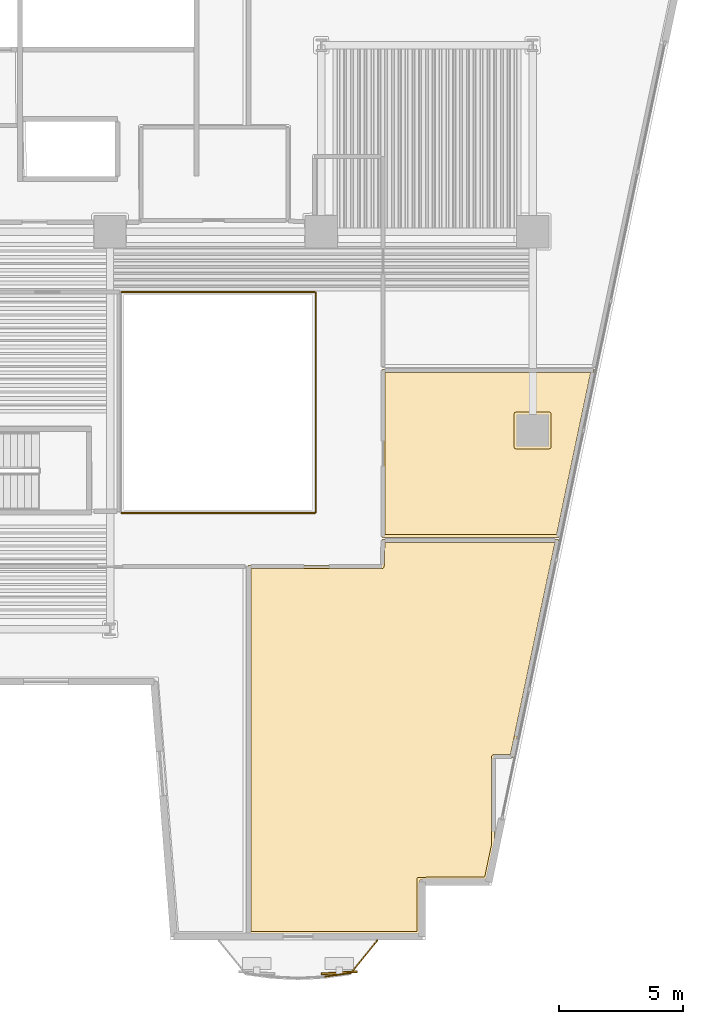
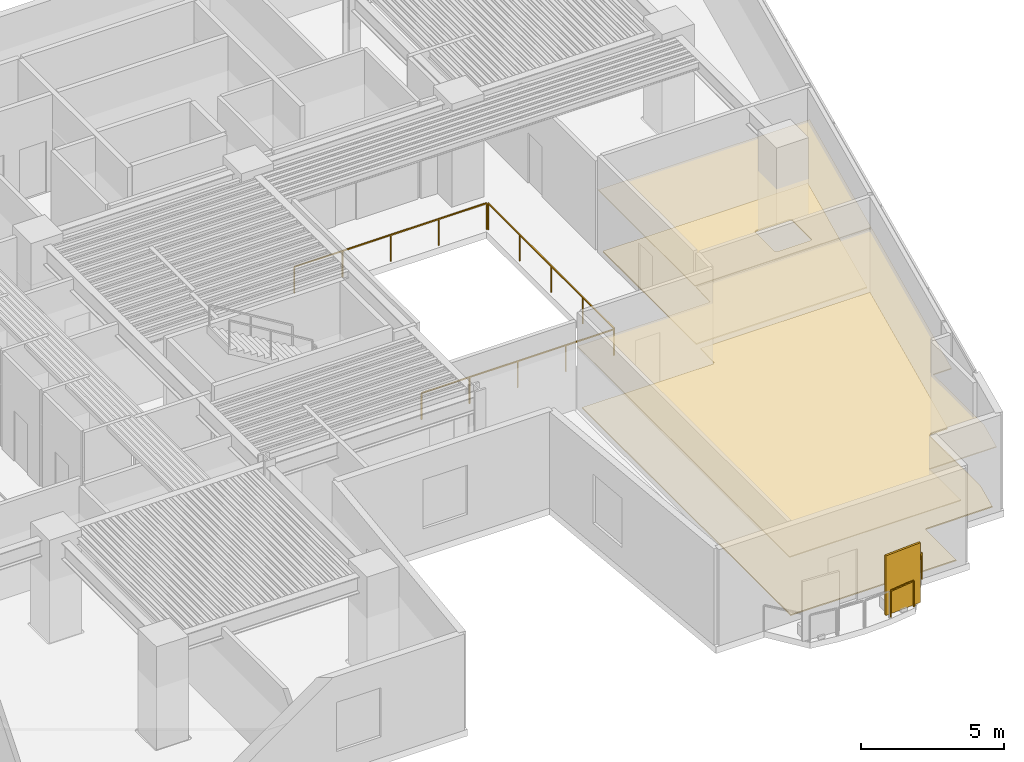
# One storey, part 10 of 12: 5 railings, 4 coverings, 1 shading device.
"""IFC4 building model written with IfcOpenShell, lengths in metres."""

from ifc_helpers import new_model, si_unit, direction, frame, origin, origin_2d, place, context, subcontext, project, spatial, polyline, rectangle, outline, extrude, material, layer, layer_set, type_object, element, save


model = new_model("IFC4")

# Units and contexts
model_context = context("Model", 3, precision=1e-05, world=origin(), true_north=direction((0.0, 1.0)))
body_context = subcontext(model_context, "Body", "Model", "MODEL_VIEW")
ifc_project = project(units=[si_unit("LENGTHUNIT", "METRE"), si_unit("AREAUNIT", "SQUARE_METRE"), si_unit("VOLUMEUNIT", "CUBIC_METRE"), si_unit("PLANEANGLEUNIT", "RADIAN"), si_unit("MASSUNIT", "GRAM", prefix="KILO")], contexts=[model_context])

# Site, building, storey
site_placement = place(None, origin())
site = spatial("IfcSite", under=ifc_project, at=site_placement, CompositionType="ELEMENT")
building_placement = place(site_placement, origin())
building = spatial("IfcBuilding", under=site, at=building_placement, Name="Caeloran Harvest Quay", CompositionType="ELEMENT")
storey_placement = place(building_placement, frame((0.0, 0.0, 79.800048828125)))
storey = spatial("IfcBuildingStorey", under=building, at=storey_placement, Name="L18", CompositionType="ELEMENT", Elevation=79.800048828125)

# Coverings
ifc_material_1 = material(Name="Perforated Mineral-Fibre Acoustic Ceiling Tile", Category="ceiling")
ifc_layer_1 = layer(ifc_material_1, 0.0400390625, Name="Perforated Mineral-Fibre Acoustic Ceiling Tile")
ifc_layer_set_1 = layer_set([ifc_layer_1], Name="Perforated Mineral-Fibre Acoustic Ceiling Tile")
covering_type_1 = type_object("IfcCoveringType", Name="COV-CEILING-ACOUSTIC", PredefinedType="CEILING", material=ifc_layer_set_1)
covering_1_placement = place(storey_placement, frame((0.0, 0.0, 2.599853515625)))
element("IfcCovering", 1, at=covering_1_placement, inside=storey, type_object=covering_type_1, Name="Sensory Fermentation Kitchen Acoustic Ceiling", PredefinedType="CEILING", context=body_context, shape_type="SweptSolid", body=[
    extrude(outline(polyline([(52.04638671875, 18.610107421875), (50.2041015625, 9.840087890625), (49.4599609375, 9.840087890625), (49.4599609375, 6.297607421875), (49.170654296875, 4.919921875), (46.467041015625, 4.919921875), (46.467041015625, 2.719970703125), (39.5400390625, 2.719970703125), (39.5400390625, 17.56005859375), (44.9111328125, 17.56005859375), (44.941162109375, 18.610107421875), (52.04638671875, 18.610107421875)])), origin(), (0.0, 0.0, 1.0), 0.0400390625),
])
covering_2_placement = place(storey_placement, frame((0.0, 0.0, 2.599853515625)))
element("IfcCovering", 2, at=covering_2_placement, inside=storey, type_object=covering_type_1, Name="Chef Development Kitchen Acoustic Ceiling", PredefinedType="CEILING", context=body_context, shape_type="SweptSolid", body=[
    extrude(outline(polyline([(44.93994140625, 18.68994140625), (44.93994140625, 25.4599609375), (53.485595703125, 25.4599609375), (52.063232421875, 18.68994140625), (44.93994140625, 18.68994140625)])), origin(), (0.0, 0.0, 1.0), 0.0400390625),
])
ifc_material_2 = material(Name="Calcium-Sulphate Raised Access Floor and Terrazzo Finish", Category="flooring")
ifc_layer_2 = layer(ifc_material_2, 0.050048828125, Name="Calcium-Sulphate Raised Access Floor and Terrazzo Finish")
ifc_layer_set_2 = layer_set([ifc_layer_2], Name="Calcium-Sulphate Raised Access Floor and Terrazzo Finish")
covering_type_2 = type_object("IfcCoveringType", Name="COV-FLOOR-RAISED", PredefinedType="FLOORING", material=ifc_layer_set_2)
covering_3_placement = place(storey_placement, origin())
element("IfcCovering", 3, at=covering_3_placement, inside=storey, type_object=covering_type_2, Name="Sensory Fermentation Kitchen Raised Finish Flooring", PredefinedType="FLOORING", context=body_context, shape_type="SweptSolid", body=[
    extrude(outline(polyline([(51.898681640625, 18.489990234375), (50.106689453125, 9.9599609375), (49.412109375, 9.959716796875), (49.341552734375, 9.8955078125), (49.340087890625, 6.31005859375), (49.0732421875, 5.0400390625), (46.376220703125, 5.021728515625), (46.346923828125, 4.9599609375), (46.346923828125, 2.840087890625), (39.659912109375, 2.840087890625), (39.659912109375, 17.43994140625), (44.96533203125, 17.44140625), (45.029296875, 17.510009765625), (45.0576171875, 18.489990234375), (51.898681640625, 18.489990234375)])), origin(), (0.0, 0.0, 1.0), 0.050048828125),
])
covering_4_placement = place(storey_placement, origin())
element("IfcCovering", 4, at=covering_4_placement, inside=storey, type_object=covering_type_2, Name="Chef Development Kitchen Raised Finish Flooring", PredefinedType="FLOORING", context=body_context, shape_type="SweptSolid", body=[
    extrude(outline(polyline([(51.9658203125, 18.81005859375), (45.06005859375, 18.81005859375), (45.06005859375, 25.340087890625), (53.337646484375, 25.340087890625), (51.9658203125, 18.81005859375)]), holes=[polyline([(51.7451171875, 23.6650390625), (51.7216796875, 23.7216796875), (51.6650390625, 23.7451171875), (50.3349609375, 23.7451171875), (50.2783203125, 23.7216796875), (50.2548828125, 23.6650390625), (50.2548828125, 22.3349609375), (50.2783203125, 22.2783203125), (50.3349609375, 22.2548828125), (51.6650390625, 22.2548828125), (51.7216796875, 22.2783203125), (51.7451171875, 22.3349609375), (51.7451171875, 23.6650390625)])]), origin(), (0.0, 0.0, 1.0), 0.050048828125),
])

# Railings
ifc_material_3 = material(Name="Powder-Coated Steel Post and Laminated Glass Guardrail", Category="steel")
ifc_layer_3 = layer(ifc_material_3, 0.06005859375, Name="Powder-Coated Steel Post and Laminated Glass Guardrail")
ifc_layer_set_3 = layer_set([ifc_layer_3], Name="Powder-Coated Steel Post and Laminated Glass Guardrail")
railing_type_1 = type_object("IfcRailingType", Name="GUARD-ATRIUM-1150", PredefinedType="GUARDRAIL", material=ifc_layer_set_3)
railing_1_placement = place(storey_placement, frame((34.4619140625, 19.679931640625, 0.0)))
element("IfcRailing", 5, at=railing_1_placement, inside=storey, type_object=railing_type_1, Name="L18 East Botanical Lightwell Guardrail Seg 1", PredefinedType="GUARDRAIL", context=body_context, shape_type="SweptSolid", body=[
    extrude(rectangle(XDim=0.048095703125, YDim=0.048095703125, at=origin_2d()), frame((0.0, 0.0, 1.1259765625), z_axis=(1.0, 0.0, 0.0), x_axis=(0.0, 1.0, 0.0)), (0.0, 0.0, 1.0), 7.776123046875),
    extrude(rectangle(XDim=0.0419921875, YDim=0.0419921875, at=origin_2d()), origin(), (0.0, 0.0, 1.0), 1.101806640625),
    extrude(rectangle(XDim=0.0419921875, YDim=0.0419921875, at=origin_2d()), frame((1.944091796875, 0.0, 0.0)), (0.0, 0.0, 1.0), 1.101806640625),
    extrude(rectangle(XDim=0.0419921875, YDim=0.0419921875, at=origin_2d()), frame((3.88818359375, 0.0, 0.0)), (0.0, 0.0, 1.0), 1.101806640625),
    extrude(rectangle(XDim=0.0419921875, YDim=0.0419921875, at=origin_2d()), frame((5.83203125, 0.0, 0.0)), (0.0, 0.0, 1.0), 1.101806640625),
    extrude(rectangle(XDim=0.0419921875, YDim=0.0419921875, at=origin_2d()), frame((7.776123046875, 0.0, 0.0)), (0.0, 0.0, 1.0), 1.101806640625),
])
railing_2_placement = place(storey_placement, frame((42.27001953125, 19.7119140625, 0.0)))
element("IfcRailing", 6, at=railing_2_placement, inside=storey, type_object=railing_type_1, Name="L18 East Botanical Lightwell Guardrail Seg 2", PredefinedType="GUARDRAIL", context=body_context, shape_type="SweptSolid", body=[
    extrude(rectangle(XDim=0.048095703125, YDim=0.048095703125, at=origin_2d()), frame((0.0, 0.0, 1.1259765625), z_axis=(0.0, 1.0, 0.0), x_axis=(-1.0, 0.0, 0.0)), (0.0, 0.0, 1.0), 8.826171875),
    extrude(rectangle(XDim=0.0419921875, YDim=0.0419921875, at=origin_2d()), origin(), (0.0, 0.0, 1.0), 1.101806640625),
    extrude(rectangle(XDim=0.0419921875, YDim=0.0419921875, at=origin_2d()), frame((0.0, 2.20654296875, 0.0)), (0.0, 0.0, 1.0), 1.101806640625),
    extrude(rectangle(XDim=0.0419921875, YDim=0.0419921875, at=origin_2d()), frame((0.0, 4.4130859375, 0.0)), (0.0, 0.0, 1.0), 1.101806640625),
    extrude(rectangle(XDim=0.0419921875, YDim=0.0419921875, at=origin_2d()), frame((0.0, 6.61962890625, 0.0)), (0.0, 0.0, 1.0), 1.101806640625),
    extrude(rectangle(XDim=0.0419921875, YDim=0.0419921875, at=origin_2d()), frame((0.0, 8.826171875, 0.0)), (0.0, 0.0, 1.0), 1.101806640625),
])
railing_3_placement = place(storey_placement, frame((42.238037109375, 28.570068359375, 0.0)))
element("IfcRailing", 7, at=railing_3_placement, inside=storey, type_object=railing_type_1, Name="L18 East Botanical Lightwell Guardrail Seg 3", PredefinedType="GUARDRAIL", context=body_context, shape_type="SweptSolid", body=[
    extrude(rectangle(XDim=0.048095703125, YDim=0.048095703125, at=origin_2d()), frame((0.0, 0.0, 1.1259765625), z_axis=(-1.0, 0.0, 0.0), x_axis=(0.0, -1.0, 0.0)), (0.0, 0.0, 1.0), 7.776123046875),
    extrude(rectangle(XDim=0.0419921875, YDim=0.0419921875, at=origin_2d()), origin(), (0.0, 0.0, 1.0), 1.101806640625),
    extrude(rectangle(XDim=0.0419921875, YDim=0.0419921875, at=origin_2d()), frame((-1.944091796875, 0.0, 0.0)), (0.0, 0.0, 1.0), 1.101806640625),
    extrude(rectangle(XDim=0.0419921875, YDim=0.0419921875, at=origin_2d()), frame((-3.88818359375, 0.0, 0.0)), (0.0, 0.0, 1.0), 1.101806640625),
    extrude(rectangle(XDim=0.0419921875, YDim=0.0419921875, at=origin_2d()), frame((-5.83203125, 0.0, 0.0)), (0.0, 0.0, 1.0), 1.101806640625),
    extrude(rectangle(XDim=0.0419921875, YDim=0.0419921875, at=origin_2d()), frame((-7.776123046875, 0.0, 0.0)), (0.0, 0.0, 1.0), 1.101806640625),
])
ifc_material_4 = material(Name="Laminated Safety Glass and Stainless Steel 316", Category="steel")
ifc_layer_4 = layer(ifc_material_4, 0.06005859375, Name="Laminated Safety Glass and Stainless Steel 316")
ifc_layer_set_4 = layer_set([ifc_layer_4], Name="Laminated Safety Glass and Stainless Steel 316")
railing_type_2 = type_object("IfcRailingType", Name="GUARD-BALUSTRADE-1150", PredefinedType="BALUSTRADE", material=ifc_layer_set_4)
railing_4_placement = place(storey_placement, frame((44.7509765625, 2.47998046875, 0.0)))
element("IfcRailing", 8, at=railing_4_placement, inside=storey, type_object=railing_type_2, Name="L18 Planted Balcony Perimeter Balustrade Guard Seg 1", PredefinedType="BALUSTRADE", context=body_context, shape_type="SweptSolid", body=[
    extrude(rectangle(XDim=0.048095703125, YDim=0.048095703125, at=origin_2d()), frame((0.0, 0.0, 1.1259765625), z_axis=(-0.630503802953, -0.776186159669, 0.0), x_axis=(0.776186159669, -0.630503802953, 0.0)), (0.0, 0.0, 1.0), 1.65576171875),
    extrude(rectangle(XDim=0.0419921875, YDim=0.0419921875, at=origin_2d()), origin(), (0.0, 0.0, 1.0), 1.101806640625),
    extrude(rectangle(XDim=0.0419921875, YDim=0.0419921875, at=origin_2d()), frame((-1.0439453125, -1.28515625, 0.0)), (0.0, 0.0, 1.0), 1.101806640625),
])
railing_5_placement = place(storey_placement, frame((43.655029296875, 1.16552734375, 0.0)))
element("IfcRailing", 9, at=railing_5_placement, inside=storey, type_object=railing_type_2, Name="L18 Planted Balcony Perimeter Balustrade Guard Seg 2", PredefinedType="BALUSTRADE", context=body_context, shape_type="SweptSolid", body=[
    extrude(rectangle(XDim=0.048095703125, YDim=0.048095703125, at=origin_2d()), frame((0.0, 0.0, 1.1259765625), z_axis=(-0.99069880656, -0.136073049059, 0.0), x_axis=(0.136073049059, -0.99069880656, 0.0)), (0.0, 0.0, 1.0), 1.010009765625),
    extrude(rectangle(XDim=0.0419921875, YDim=0.0419921875, at=origin_2d()), origin(), (0.0, 0.0, 1.0), 1.101806640625),
    extrude(rectangle(XDim=0.0419921875, YDim=0.0419921875, at=origin_2d()), frame((-1.000732421875, -0.137451171875, 0.0)), (0.0, 0.0, 1.0), 1.101806640625),
])

# Shading device
ifc_material_5 = material(Name="3003-H14 Perforated Powder-Coated Aluminium", Category="aluminium")
shading_device_type = type_object("IfcShadingDeviceType", Name="SHADE-SCREEN-FOLDED", PredefinedType="USERDEFINED", material=ifc_material_5)
shading_device_placement = place(storey_placement, frame((43.218505859375, 1.179931640625, 0.07470703125), z_axis=(0.0, 0.0, 1.0), x_axis=(0.997801468292, 0.0662739004, 0.0)))
element("IfcShadingDevice", 10, at=shading_device_placement, inside=storey, type_object=shading_device_type, Name="L18 Folded Facade Breathing Screen 1", ObjectType="SCREEN", PredefinedType="USERDEFINED", context=body_context, shape_type="SweptSolid", body=[
    extrude(rectangle(XDim=1.449951171875, YDim=0.080078125, at=origin_2d()), origin(), (0.0, 0.0, 1.0), 2.550048828125),
])

save(model, "model.ifc")
